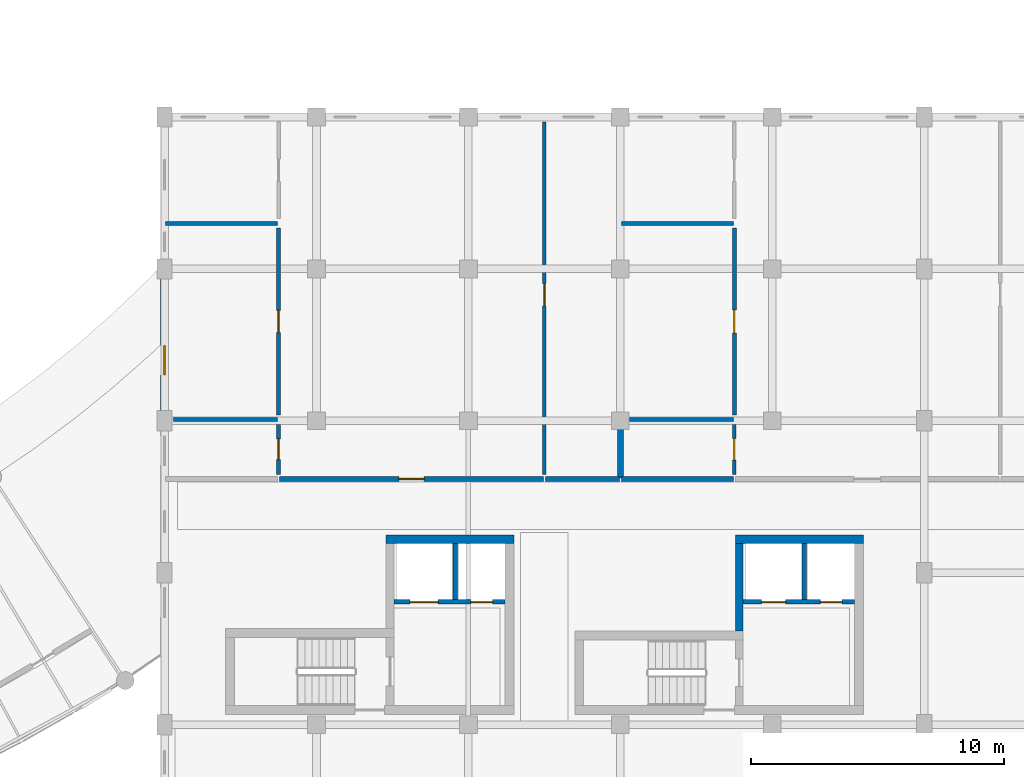
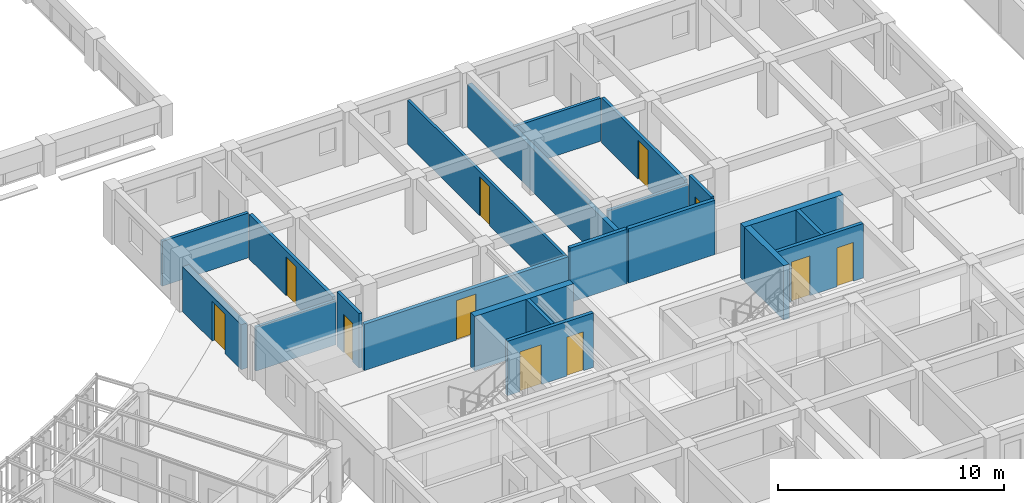
# One storey, part 97 of 137: 21 walls, 11 doors, 11 openings.
"""IFC4 building model written with IfcOpenShell, lengths in metres."""

from ifc_helpers import new_model, si_unit, direction, frame, frame_2d, origin, place, context, subcontext, project, spatial, rectangle, extrude, material, layer, layer_set, type_object, element, fill, save


model = new_model("IFC4")

# Units and contexts
model_context = context("Model", 3, precision=1e-05, world=origin(), true_north=direction((0.0, 1.0)))
body_context = subcontext(model_context, "Body", "Model", "MODEL_VIEW")
ifc_project = project(units=[si_unit("LENGTHUNIT", "METRE"), si_unit("AREAUNIT", "SQUARE_METRE"), si_unit("VOLUMEUNIT", "CUBIC_METRE"), si_unit("PLANEANGLEUNIT", "RADIAN"), si_unit("MASSUNIT", "GRAM", prefix="KILO"), si_unit("POWERUNIT", "WATT"), si_unit("THERMODYNAMICTEMPERATUREUNIT", "KELVIN")], contexts=[model_context])

# Site, building, storey
site_placement = place(None, origin())
site = spatial("IfcSite", under=ifc_project, at=site_placement, CompositionType="ELEMENT")
building_placement = place(site_placement, origin())
building = spatial("IfcBuilding", under=site, at=building_placement, Name="Ruvembo Vaulted Housing Court", CompositionType="ELEMENT")
storey_placement = place(building_placement, frame((0.0, 0.0, 4.5)))
storey = spatial("IfcBuildingStorey", under=building, at=storey_placement, Name="L01", CompositionType="ELEMENT", Elevation=4.5)

# Walls
ifc_material_1 = material(Name="Concrete C35/45", Category="concrete")
ifc_layer_1 = layer(ifc_material_1, 0.300048828125, Name="Concrete C35/45")
ifc_layer_set_1 = layer_set([ifc_layer_1], Name="Concrete C35/45")
wall_type_1 = type_object("IfcWallType", Name="WL-CORE-300", PredefinedType="SHEAR", material=ifc_layer_set_1)
wall_1_placement = place(storey_placement, frame((124.699951171875, 15.699951171875, 0.0), z_axis=(0.0, 0.0, 1.0), x_axis=(0.0, 1.0, 0.0)))
element("IfcWall", 1, at=wall_1_placement, inside=storey, type_object=wall_type_1, Name="Core C2 L01 Upper West Shear Wall", PredefinedType="SHEAR", context=body_context, shape_type="SweptSolid", body=[
    extrude(rectangle(XDim=3.449951171875, YDim=0.300048828125, at=frame_2d((1.72509765625, 0.0))), origin(), (0.0, 0.0, 1.0), 2.945068359375),
])
ifc_layer_2 = layer(ifc_material_1, 0.35009765625, Name="Concrete C35/45")
ifc_layer_set_2 = layer_set([ifc_layer_2], Name="Concrete C35/45")
wall_type_2 = type_object("IfcWallType", Name="WL-CORE-350", PredefinedType="SHEAR", material=ifc_layer_set_2)
for number, where, z_axis, x_axis, name in (
    (2, (115.800048828125, 19.324951171875, 0.0), (0.0, 0.0, 1.0), (-1.0, 0.0, 0.0), "Core C1 L01 North Shear Wall"),
    (3, (129.60009765625, 19.324951171875, 0.0), (0.0, 0.0, 1.0), (-1.0, 0.0, 0.0), "Core C2 L01 North Shear Wall"),
):
    element("IfcWall", number, at=place(storey_placement, frame(where, z_axis=z_axis, x_axis=x_axis)), inside=storey, type_object=wall_type_2, Name=name, PredefinedType="SHEAR", context=body_context, shape_type="SweptSolid", body=[
        extrude(rectangle(XDim=5.050048828125, YDim=0.35009765625, at=frame_2d((2.52490234375, 0.0))), origin(), (0.0, 0.0, 1.0), 2.945068359375),
    ])

# Wall, opening, door
ifc_material_2 = material(Name="Concrete Blockwork 190", Category="masonry")
ifc_layer_3 = layer(ifc_material_2, 0.18994140625, Name="Concrete Blockwork 190")
ifc_layer_set_3 = layer_set([ifc_layer_3], Name="Concrete Blockwork 190")
wall_type_3 = type_object("IfcWallType", Name="WL-CORR-190", PredefinedType="SOLIDWALL", material=ifc_layer_set_3)
wall_2_placement = place(storey_placement, frame((106.5400390625, 21.699951171875, 0.0), z_axis=(0.0, 0.0, 1.0), x_axis=(1.0, 0.0, 0.0)))
wall_2 = element("IfcWall", 4, at=wall_2_placement, inside=storey, type_object=wall_type_3, Name="L01 Flat C-L01-N1 Entrance WL-INT-L01-00305", PredefinedType="SOLIDWALL", context=body_context, shape_type="SweptSolid", body=[
    extrude(rectangle(XDim=10.419921875, YDim=0.18994140625, at=frame_2d((5.2099609375, 0.0))), origin(), (0.0, 0.0, 1.0), 2.508056640625),
])
opening_1_placement = place(wall_2_placement, frame((4.7099609375, 0.0, 0.0)))
opening_1 = element("IfcOpeningElement", 5, at=opening_1_placement, cuts=wall_2, Name="Opening FD1", PredefinedType="OPENING", context=body_context, shape_type="SweptSolid", body=[
    extrude(rectangle(XDim=1.0, YDim=2.14990234375, at=frame_2d((0.5, 1.074951171875))), frame((0.0, 0.10498046875, 0.0), z_axis=(0.0, -1.0, 0.0), x_axis=(1.0, 0.0, 0.0)), (0.0, 0.0, 1.0), 0.2099609375),
])
ifc_material_3 = material(Name="FSC Hardwood and Engineered Timber", Category="wood")
door_type_1 = type_object("IfcDoorType", Name="DR-FLAT-1000x2150", OperationType="NOTDEFINED", PredefinedType="DOOR", material=ifc_material_3)
door_1_placement = place(opening_1_placement, origin())
door_1 = element("IfcDoor", 6, at=door_1_placement, inside=storey, type_object=door_type_1, Name="L01 Flat C-L01-N1 Entrance Door DR-INT-L01-00153", OperationType="SINGLE_SWING_LEFT", OverallHeight=2.14990234375, OverallWidth=1.0, PredefinedType="DOOR", context=body_context, shape_type="SweptSolid", body=[
    extrude(rectangle(XDim=1.0, YDim=2.14990234375, at=frame_2d((0.5, 1.074951171875))), frame((0.0, 0.02490234375, 0.0), z_axis=(0.0, -1.0, 0.0), x_axis=(1.0, 0.0, 0.0)), (0.0, 0.0, 1.0), 0.050048828125),
])
fill(opening_1, door_1)

# Walls
wall_3_placement = place(storey_placement, frame((117.0400390625, 21.699951171875, 0.0), z_axis=(0.0, 0.0, 1.0), x_axis=(1.0, 0.0, 0.0)))
element("IfcWall", 7, at=wall_3_placement, inside=storey, type_object=wall_type_3, Name="L01 Flat C-L01-N1 Corridor Wall 2 WL-INT-L01-00311", PredefinedType="SOLIDWALL", context=body_context, shape_type="SweptSolid", body=[
    extrude(rectangle(XDim=2.919921875, YDim=0.18994140625, at=frame_2d((1.4599609375, 0.0))), origin(), (0.0, 0.0, 1.0), 2.945068359375),
])
wall_4_placement = place(storey_placement, frame((120.0400390625, 21.699951171875, 0.0), z_axis=(0.0, 0.0, 1.0), x_axis=(1.0, 0.0, 0.0)))
element("IfcWall", 8, at=wall_4_placement, inside=storey, type_object=wall_type_3, Name="L01 Flat C-L01-N2 Corridor Wall WL-INT-L01-00313", PredefinedType="SOLIDWALL", context=body_context, shape_type="SweptSolid", body=[
    extrude(rectangle(XDim=4.419921875, YDim=0.18994140625, at=frame_2d((2.2099609375, 0.0))), origin(), (0.0, 0.0, 1.0), 2.945068359375),
])
ifc_material_4 = material(Name="Acoustic Masonry Demising 230", Category="masonry")
ifc_layer_4 = layer(ifc_material_4, 0.22998046875, Name="Acoustic Masonry Demising 230")
ifc_layer_set_4 = layer_set([ifc_layer_4], Name="Acoustic Masonry Demising 230")
wall_type_4 = type_object("IfcWallType", Name="WL-DEM-230", PredefinedType="SOLIDWALL", material=ifc_layer_set_4)
wall_5_placement = place(storey_placement, frame((120.0, 21.739990234375, 0.0), z_axis=(0.0, 0.0, 1.0), x_axis=(0.0, 1.0, 0.0)))
element("IfcWall", 9, at=wall_5_placement, inside=storey, type_object=wall_type_4, Name="L01 Demising C-L01-N1 WL-INT-L01-00303", PredefinedType="SOLIDWALL", context=body_context, shape_type="SweptSolid", body=[
    extrude(rectangle(XDim=13.8701171875, YDim=0.22998046875, at=frame_2d((6.93505859375, 0.0))), origin(), (0.0, 0.0, 1.0), 2.326904296875),
])

# Wall, opening, door
ifc_material_5 = material(Name="Rendered Masonry 320", Category="masonry")
ifc_layer_5 = layer(ifc_material_5, 0.320068359375, Name="Rendered Masonry 320")
ifc_layer_set_5 = layer_set([ifc_layer_5], Name="Rendered Masonry 320")
wall_type_5 = type_object("IfcWallType", Name="WL-EXT-320", PredefinedType="STANDARD", material=ifc_layer_set_5)
wall_6_placement = place(storey_placement, frame((102.0, 29.60009765625, 0.0), z_axis=(0.0, 0.0, 1.0), x_axis=(0.0, -1.0, 0.0)))
wall_6 = element("IfcWall", 10, at=wall_6_placement, inside=storey, type_object=wall_type_5, Name="Block C L01 Exterior Wall WEST #2", PredefinedType="STANDARD", context=body_context, shape_type="SweptSolid", body=[
    extrude(rectangle(XDim=5.2001953125, YDim=0.320068359375, at=frame_2d((2.60009765625, 0.0))), origin(), (0.0, 0.0, 1.0), 2.427001953125),
])
opening_2_placement = place(wall_6_placement, frame((2.63330078125, 0.0, 0.0)))
opening_2 = element("IfcOpeningElement", 11, at=opening_2_placement, cuts=wall_6, Name="Opening GD1", PredefinedType="OPENING", context=body_context, shape_type="SweptSolid", body=[
    extrude(rectangle(XDim=1.14990234375, YDim=2.14990234375, at=frame_2d((0.574951171875, 1.074951171875))), frame((0.0, 0.169921875, 0.0), z_axis=(0.0, -1.0, 0.0), x_axis=(1.0, 0.0, 0.0)), (0.0, 0.0, 1.0), 0.340087890625),
])
ifc_material_6 = material(Name="Thermally Broken Glazed Aluminium", Category="aluminium")
door_type_2 = type_object("IfcDoorType", Name="DR-GAL-1150x2150", OperationType="NOTDEFINED", PredefinedType="DOOR", material=ifc_material_6)
door_2_placement = place(opening_2_placement, frame((1.14990234375, 0.0, 0.0), z_axis=(0.0, 0.0, 1.0), x_axis=(-1.0, 0.0, 0.0)))
door_2 = element("IfcDoor", 12, at=door_2_placement, inside=storey, type_object=door_type_2, Name="Block C L01 Terrace or Gallery Door DR-TER-C-L01-050", OperationType="SINGLE_SWING_LEFT", OverallHeight=2.14990234375, OverallWidth=1.14990234375, PredefinedType="DOOR", context=body_context, shape_type="SweptSolid", body=[
    extrude(rectangle(XDim=1.14990234375, YDim=2.14990234375, at=frame_2d((0.574951171875, 1.074951171875))), frame((0.0, 0.02490234375, 0.0), z_axis=(0.0, -1.0, 0.0), x_axis=(1.0, 0.0, 0.0)), (0.0, 0.0, 1.0), 0.050048828125),
])
fill(opening_2, door_2)

ifc_material_7 = material(Name="Acoustic Stud Partition 135", Category="gypsum")
ifc_layer_6 = layer(ifc_material_7, 0.135009765625, Name="Acoustic Stud Partition 135")
ifc_layer_set_6 = layer_set([ifc_layer_6], Name="Acoustic Stud Partition 135")
wall_type_6 = type_object("IfcWallType", Name="WL-PART-135", PredefinedType="PARTITIONING", material=ifc_layer_set_6)
wall_7_placement = place(storey_placement, frame((117.0, 21.889892578125, 0.0), z_axis=(0.0, 0.0, 1.0), x_axis=(0.0, 1.0, 0.0)))
wall_7 = element("IfcWall", 13, at=wall_7_placement, inside=storey, type_object=wall_type_6, Name="L01 Flat C-L01-N1 Bedroom 2 WL-INT-L01-00312", PredefinedType="PARTITIONING", context=body_context, shape_type="SweptSolid", body=[
    extrude(rectangle(XDim=13.920166015625, YDim=0.135009765625, at=frame_2d((6.9599609375, 0.0))), origin(), (0.0, 0.0, 1.0), 2.376953125),
])
opening_3_placement = place(wall_7_placement, frame((6.64990234375, 0.0, 0.0)))
opening_3 = element("IfcOpeningElement", 14, at=opening_3_placement, cuts=wall_7, Name="Opening ID3", PredefinedType="OPENING", context=body_context, shape_type="SweptSolid", body=[
    extrude(rectangle(XDim=0.8798828125, YDim=2.10009765625, at=frame_2d((0.43994140625, 1.050048828125))), frame((0.0, 0.077392578125, 0.0), z_axis=(0.0, -1.0, 0.0), x_axis=(1.0, 0.0, 0.0)), (0.0, 0.0, 1.0), 0.155029296875),
])
door_type_3 = type_object("IfcDoorType", Name="DR-ROOM-0880x2100", OperationType="NOTDEFINED", PredefinedType="DOOR", material=ifc_material_3)
door_3_placement = place(opening_3_placement, origin())
door_3 = element("IfcDoor", 15, at=door_3_placement, inside=storey, type_object=door_type_3, Name="L01 Flat C-L01-N1 Bedroom 2 Door DR-INT-L01-00157", OperationType="SINGLE_SWING_LEFT", OverallHeight=2.10009765625, OverallWidth=0.8798828125, PredefinedType="DOOR", context=body_context, shape_type="SweptSolid", body=[
    extrude(rectangle(XDim=0.8798828125, YDim=2.10009765625, at=frame_2d((0.43994140625, 1.050048828125))), frame((0.0, 0.02490234375, 0.0), z_axis=(0.0, -1.0, 0.0), x_axis=(1.0, 0.0, 0.0)), (0.0, 0.0, 1.0), 0.050048828125),
])
fill(opening_3, door_3)

ifc_material_8 = material(Name="Moisture-Resistant Wet Partition 150", Category="gypsum")
ifc_layer_7 = layer(ifc_material_8, 0.14990234375, Name="Moisture-Resistant Wet Partition 150")
ifc_layer_set_7 = layer_set([ifc_layer_7], Name="Moisture-Resistant Wet Partition 150")
wall_type_7 = type_object("IfcWallType", Name="WL-PART-150", PredefinedType="PARTITIONING", material=ifc_layer_set_7)
wall_8_placement = place(storey_placement, frame((106.5, 21.889892578125, 0.0), z_axis=(0.0, 0.0, 1.0), x_axis=(0.0, 1.0, 0.0)))
wall_8 = element("IfcWall", 16, at=wall_8_placement, inside=storey, type_object=wall_type_7, Name="L01 Flat C-L01-N1 Bathroom WL-INT-L01-00308", PredefinedType="PARTITIONING", context=body_context, shape_type="SweptSolid", body=[
    extrude(rectangle(XDim=1.97021484375, YDim=0.14990234375, at=frame_2d((0.985107421875, 0.0))), origin(), (0.0, 0.0, 1.0), 2.945068359375),
])
opening_4_placement = place(wall_8_placement, frame((0.574951171875, 0.0, 0.0)))
opening_4 = element("IfcOpeningElement", 17, at=opening_4_placement, cuts=wall_8, Name="Opening ID4", PredefinedType="OPENING", context=body_context, shape_type="SweptSolid", body=[
    extrude(rectangle(XDim=0.820068359375, YDim=2.080078125, at=frame_2d((0.41015625, 1.0400390625))), frame((0.0, 0.0849609375, 0.0), z_axis=(0.0, -1.0, 0.0), x_axis=(1.0, 0.0, 0.0)), (0.0, 0.0, 1.0), 0.169921875),
])
door_type_4 = type_object("IfcDoorType", Name="DR-WET-0820x2080", OperationType="NOTDEFINED", PredefinedType="DOOR", material=ifc_material_3)
door_4_placement = place(opening_4_placement, origin())
door_4 = element("IfcDoor", 18, at=door_4_placement, inside=storey, type_object=door_type_4, Name="L01 Flat C-L01-N1 Bathroom Door DR-INT-L01-00156", OperationType="SINGLE_SWING_RIGHT", OverallHeight=2.080078125, OverallWidth=0.820068359375, PredefinedType="DOOR", context=body_context, shape_type="SweptSolid", body=[
    extrude(rectangle(XDim=0.820068359375, YDim=2.080078125, at=frame_2d((0.41015625, 1.0400390625))), frame((0.0, 0.02490234375, 0.0), z_axis=(0.0, -1.0, 0.0), x_axis=(1.0, 0.0, 0.0)), (0.0, 0.0, 1.0), 0.050048828125),
])
fill(opening_4, door_4)

# Walls
wall_9_placement = place(storey_placement, frame((102.0400390625, 31.800048828125, 0.0), z_axis=(0.0, 0.0, 1.0), x_axis=(1.0, 0.0, 0.0)))
element("IfcWall", 19, at=wall_9_placement, inside=storey, type_object=wall_type_7, Name="L01 Flat C-L01-N1 Wet Wall 1 WL-INT-L01-00309", PredefinedType="PARTITIONING", context=body_context, shape_type="SweptSolid", body=[
    extrude(rectangle(XDim=4.419921875, YDim=0.14990234375, at=frame_2d((2.2099609375, 0.0))), origin(), (0.0, 0.0, 1.0), 2.427001953125),
])
wall_10_placement = place(storey_placement, frame((102.360107421875, 24.050048828125, 0.0), z_axis=(0.0, 0.0, 1.0), x_axis=(1.0, 0.0, 0.0)))
element("IfcWall", 20, at=wall_10_placement, inside=storey, type_object=wall_type_7, Name="L01 Flat C-L01-N1 Wet Wall 2 WL-INT-L01-00310", PredefinedType="PARTITIONING", context=body_context, shape_type="SweptSolid", body=[
    extrude(rectangle(XDim=4.099853515625, YDim=0.14990234375, at=frame_2d((2.0498046875, 0.0))), origin(), (0.0, 0.0, 1.0), 2.376953125),
])

# Wall, opening, door
wall_11_placement = place(storey_placement, frame((124.5, 21.889892578125, 0.0), z_axis=(0.0, 0.0, 1.0), x_axis=(0.0, 1.0, 0.0)))
wall_11 = element("IfcWall", 21, at=wall_11_placement, inside=storey, type_object=wall_type_7, Name="L01 Flat C-L01-N2 Bathroom WL-INT-L01-00317", PredefinedType="PARTITIONING", context=body_context, shape_type="SweptSolid", body=[
    extrude(rectangle(XDim=1.97021484375, YDim=0.14990234375, at=frame_2d((0.985107421875, 0.0))), origin(), (0.0, 0.0, 1.0), 2.945068359375),
])
opening_5_placement = place(wall_11_placement, frame((0.56005859375, 0.0, 0.0)))
opening_5 = element("IfcOpeningElement", 22, at=opening_5_placement, cuts=wall_11, Name="Opening ID2", PredefinedType="OPENING", context=body_context, shape_type="SweptSolid", body=[
    extrude(rectangle(XDim=0.85009765625, YDim=2.10009765625, at=frame_2d((0.425048828125, 1.050048828125))), frame((0.0, 0.0849609375, 0.0), z_axis=(0.0, -1.0, 0.0), x_axis=(1.0, 0.0, 0.0)), (0.0, 0.0, 1.0), 0.169921875),
])
door_type_5 = type_object("IfcDoorType", Name="DR-WET-0850x2100", OperationType="NOTDEFINED", PredefinedType="DOOR", material=ifc_material_3)
door_5_placement = place(opening_5_placement, origin())
door_5 = element("IfcDoor", 23, at=door_5_placement, inside=storey, type_object=door_type_5, Name="L01 Flat C-L01-N2 Bathroom Door DR-INT-L01-00161", OperationType="SINGLE_SWING_LEFT", OverallHeight=2.10009765625, OverallWidth=0.85009765625, PredefinedType="DOOR", context=body_context, shape_type="SweptSolid", body=[
    extrude(rectangle(XDim=0.85009765625, YDim=2.10009765625, at=frame_2d((0.425048828125, 1.050048828125))), frame((0.0, 0.02490234375, 0.0), z_axis=(0.0, -1.0, 0.0), x_axis=(1.0, 0.0, 0.0)), (0.0, 0.0, 1.0), 0.050048828125),
])
fill(opening_5, door_5)

# Walls
wall_12_placement = place(storey_placement, frame((120.0400390625, 31.800048828125, 0.0), z_axis=(0.0, 0.0, 1.0), x_axis=(1.0, 0.0, 0.0)))
element("IfcWall", 24, at=wall_12_placement, inside=storey, type_object=wall_type_7, Name="L01 Flat C-L01-N2 Wet Wall 1 WL-INT-L01-00318", PredefinedType="PARTITIONING", context=body_context, shape_type="SweptSolid", body=[
    extrude(rectangle(XDim=4.419921875, YDim=0.14990234375, at=frame_2d((2.2099609375, 0.0))), origin(), (0.0, 0.0, 1.0), 2.326904296875),
])
wall_13_placement = place(storey_placement, frame((120.360107421875, 24.050048828125, 0.0), z_axis=(0.0, 0.0, 1.0), x_axis=(1.0, 0.0, 0.0)))
element("IfcWall", 25, at=wall_13_placement, inside=storey, type_object=wall_type_7, Name="L01 Flat C-L01-N2 Wet Wall 2 WL-INT-L01-00319", PredefinedType="PARTITIONING", context=body_context, shape_type="SweptSolid", body=[
    extrude(rectangle(XDim=4.099853515625, YDim=0.14990234375, at=frame_2d((2.0498046875, 0.0))), origin(), (0.0, 0.0, 1.0), 2.376953125),
])

# Wall, opening, door
ifc_material_9 = material(Name="Acoustic Service Chase Wall 160", Category="gypsum")
ifc_layer_8 = layer(ifc_material_9, 0.159912109375, Name="Acoustic Service Chase Wall 160")
ifc_layer_set_8 = layer_set([ifc_layer_8], Name="Acoustic Service Chase Wall 160")
wall_type_8 = type_object("IfcWallType", Name="WL-PLUMB-160", PredefinedType="PLUMBINGWALL", material=ifc_layer_set_8)
wall_14_placement = place(storey_placement, frame((106.5, 24.239990234375, 0.0), z_axis=(0.0, 0.0, 1.0), x_axis=(0.0, 1.0, 0.0)))
wall_14 = element("IfcWall", 26, at=wall_14_placement, inside=storey, type_object=wall_type_8, Name="L01 Flat C-L01-N1 Kitchen WL-INT-L01-00307", PredefinedType="PLUMBINGWALL", context=body_context, shape_type="SweptSolid", body=[
    extrude(rectangle(XDim=7.3701171875, YDim=0.159912109375, at=frame_2d((3.68505859375, 0.0))), origin(), (0.0, 0.0, 1.0), 2.427001953125),
])
opening_6_placement = place(wall_14_placement, frame((3.2451171875, 0.0, 0.0)))
opening_6 = element("IfcOpeningElement", 27, at=opening_6_placement, cuts=wall_14, Name="Opening ID3", PredefinedType="OPENING", context=body_context, shape_type="SweptSolid", body=[
    extrude(rectangle(XDim=0.8798828125, YDim=2.10009765625, at=frame_2d((0.43994140625, 1.050048828125))), frame((0.0, 0.08984375, 0.0), z_axis=(0.0, -1.0, 0.0), x_axis=(1.0, 0.0, 0.0)), (0.0, 0.0, 1.0), 0.179931640625),
])
door_6_placement = place(opening_6_placement, origin())
door_6 = element("IfcDoor", 28, at=door_6_placement, inside=storey, type_object=door_type_3, Name="L01 Flat C-L01-N1 Kitchen Door DR-INT-L01-00155", OperationType="SINGLE_SWING_LEFT", OverallHeight=2.10009765625, OverallWidth=0.8798828125, PredefinedType="DOOR", context=body_context, shape_type="SweptSolid", body=[
    extrude(rectangle(XDim=0.8798828125, YDim=2.10009765625, at=frame_2d((0.43994140625, 1.050048828125))), frame((0.0, 0.02490234375, 0.0), z_axis=(0.0, -1.0, 0.0), x_axis=(1.0, 0.0, 0.0)), (0.0, 0.0, 1.0), 0.050048828125),
])
fill(opening_6, door_6)

wall_15_placement = place(storey_placement, frame((124.5, 24.239990234375, 0.0), z_axis=(0.0, 0.0, 1.0), x_axis=(0.0, 1.0, 0.0)))
wall_15 = element("IfcWall", 29, at=wall_15_placement, inside=storey, type_object=wall_type_8, Name="L01 Flat C-L01-N2 Kitchen WL-INT-L01-00316", PredefinedType="PLUMBINGWALL", context=body_context, shape_type="SweptSolid", body=[
    extrude(rectangle(XDim=7.3701171875, YDim=0.159912109375, at=frame_2d((3.68505859375, 0.0))), origin(), (0.0, 0.0, 1.0), 2.427001953125),
])
opening_7_placement = place(wall_15_placement, frame((3.235107421875, 0.0, 0.0)))
opening_7 = element("IfcOpeningElement", 30, at=opening_7_placement, cuts=wall_15, Name="Opening ID1", PredefinedType="OPENING", context=body_context, shape_type="SweptSolid", body=[
    extrude(rectangle(XDim=0.89990234375, YDim=2.10009765625, at=frame_2d((0.449951171875, 1.050048828125))), frame((0.0, 0.08984375, 0.0), z_axis=(0.0, -1.0, 0.0), x_axis=(1.0, 0.0, 0.0)), (0.0, 0.0, 1.0), 0.179931640625),
])
door_type_6 = type_object("IfcDoorType", Name="DR-ROOM-0900x2100", OperationType="NOTDEFINED", PredefinedType="DOOR", material=ifc_material_3)
door_7_placement = place(opening_7_placement, origin())
door_7 = element("IfcDoor", 31, at=door_7_placement, inside=storey, type_object=door_type_6, Name="L01 Flat C-L01-N2 Kitchen Door DR-INT-L01-00160", OperationType="SINGLE_SWING_RIGHT", OverallHeight=2.10009765625, OverallWidth=0.89990234375, PredefinedType="DOOR", context=body_context, shape_type="SweptSolid", body=[
    extrude(rectangle(XDim=0.89990234375, YDim=2.10009765625, at=frame_2d((0.449951171875, 1.050048828125))), frame((0.0, 0.02490234375, 0.0), z_axis=(0.0, -1.0, 0.0), x_axis=(1.0, 0.0, 0.0)), (0.0, 0.0, 1.0), 0.050048828125),
])
fill(opening_7, door_7)

# Wall, openings, doors
ifc_material_10 = material(Name="Fire-Rated Masonry Shaft 180", Category="masonry")
ifc_layer_9 = layer(ifc_material_10, 0.179931640625, Name="Fire-Rated Masonry Shaft 180")
ifc_layer_set_9 = layer_set([ifc_layer_9], Name="Fire-Rated Masonry Shaft 180")
wall_type_9 = type_object("IfcWallType", Name="WL-SHAFT-180", PredefinedType="SOLIDWALL", material=ifc_layer_set_9)
wall_16_placement = place(storey_placement, frame((111.050048828125, 16.85009765625, 0.0), z_axis=(0.0, 0.0, 1.0), x_axis=(1.0, 0.0, 0.0)))
wall_16 = element("IfcWall", 32, at=wall_16_placement, inside=storey, type_object=wall_type_9, Name="Core C1 L01 Lift and Riser Front Wall", PredefinedType="SOLIDWALL", context=body_context, shape_type="SweptSolid", body=[
    extrude(rectangle(XDim=4.39990234375, YDim=0.179931640625, at=frame_2d((2.199951171875, 0.0))), origin(), (0.0, 0.0, 1.0), 2.945068359375),
])
opening_8_placement = place(wall_16_placement, frame((0.64990234375, 0.0, 0.0)))
opening_8 = element("IfcOpeningElement", 33, at=opening_8_placement, cuts=wall_16, Name="Opening LD-LP-C1-L01", PredefinedType="OPENING", context=body_context, shape_type="SweptSolid", body=[
    extrude(rectangle(XDim=1.10009765625, YDim=2.14990234375, at=frame_2d((0.550048828125, 1.074951171875))), frame((0.0, 0.099853515625, 0.0), z_axis=(0.0, -1.0, 0.0), x_axis=(1.0, 0.0, 0.0)), (0.0, 0.0, 1.0), 0.199951171875),
])
opening_9_placement = place(wall_16_placement, frame((3.050048828125, 0.0, 0.0)))
opening_9 = element("IfcOpeningElement", 34, at=opening_9_placement, cuts=wall_16, Name="Opening RD1", PredefinedType="OPENING", context=body_context, shape_type="SweptSolid", body=[
    extrude(rectangle(XDim=0.85009765625, YDim=2.10009765625, at=frame_2d((0.425048828125, 1.050048828125))), frame((0.0, 0.099853515625, 0.0), z_axis=(0.0, -1.0, 0.0), x_axis=(1.0, 0.0, 0.0)), (0.0, 0.0, 1.0), 0.199951171875),
])
ifc_material_11 = material(Name="Brushed Stainless Steel 304", Category="steel")
door_type_7 = type_object("IfcDoorType", Name="DR-LIFT-1100x2150", OperationType="NOTDEFINED", PredefinedType="DOOR", material=ifc_material_11)
door_8_placement = place(opening_8_placement, origin())
door_8 = element("IfcDoor", 35, at=door_8_placement, inside=storey, type_object=door_type_7, Name="Lift LP-C1 L01 Sliding Landing Door", OperationType="SLIDING_TO_LEFT", OverallHeight=2.14990234375, OverallWidth=1.10009765625, PredefinedType="DOOR", context=body_context, shape_type="SweptSolid", body=[
    extrude(rectangle(XDim=1.10009765625, YDim=2.14990234375, at=frame_2d((0.550048828125, 1.074951171875))), frame((0.0, 0.02490234375, 0.0), z_axis=(0.0, -1.0, 0.0), x_axis=(1.0, 0.0, 0.0)), (0.0, 0.0, 1.0), 0.050048828125),
])
fill(opening_8, door_8)
ifc_material_12 = material(Name="Galvanised Painted Steel", Category="steel")
door_type_8 = type_object("IfcDoorType", Name="DR-RISER-0850x2100", OperationType="NOTDEFINED", PredefinedType="DOOR", material=ifc_material_12)
door_9_placement = place(opening_9_placement, frame((0.85009765625, 0.0, 0.0), z_axis=(0.0, 0.0, 1.0), x_axis=(-1.0, 0.0, 0.0)))
door_9 = element("IfcDoor", 36, at=door_9_placement, inside=storey, type_object=door_type_8, Name="Core C1 L01 Service Riser Door", OperationType="SINGLE_SWING_LEFT", OverallHeight=2.10009765625, OverallWidth=0.85009765625, PredefinedType="DOOR", context=body_context, shape_type="SweptSolid", body=[
    extrude(rectangle(XDim=0.85009765625, YDim=2.10009765625, at=frame_2d((0.425048828125, 1.050048828125))), frame((0.0, 0.02490234375, 0.0), z_axis=(0.0, -1.0, 0.0), x_axis=(1.0, 0.0, 0.0)), (0.0, 0.0, 1.0), 0.050048828125),
])
fill(opening_9, door_9)

# Wall
wall_17_placement = place(storey_placement, frame((113.469970703125, 16.93994140625, 0.0), z_axis=(0.0, 0.0, 1.0), x_axis=(0.0, 1.0, 0.0)))
element("IfcWall", 37, at=wall_17_placement, inside=storey, type_object=wall_type_9, Name="Core C1 L01 Shaft-Riser Divider Wall", PredefinedType="SOLIDWALL", context=body_context, shape_type="SweptSolid", body=[
    extrude(rectangle(XDim=2.2099609375, YDim=0.179931640625, at=frame_2d((1.10498046875, 0.0))), origin(), (0.0, 0.0, 1.0), 2.945068359375),
])

# Wall, openings, doors
wall_18_placement = place(storey_placement, frame((124.85009765625, 16.85009765625, 0.0), z_axis=(0.0, 0.0, 1.0), x_axis=(1.0, 0.0, 0.0)))
wall_18 = element("IfcWall", 38, at=wall_18_placement, inside=storey, type_object=wall_type_9, Name="Core C2 L01 Lift and Riser Front Wall", PredefinedType="SOLIDWALL", context=body_context, shape_type="SweptSolid", body=[
    extrude(rectangle(XDim=4.39990234375, YDim=0.179931640625, at=frame_2d((2.199951171875, 0.0))), origin(), (0.0, 0.0, 1.0), 2.945068359375),
])
opening_10_placement = place(wall_18_placement, frame((0.72509765625, 0.0, 0.0)))
opening_10 = element("IfcOpeningElement", 39, at=opening_10_placement, cuts=wall_18, Name="Opening LD-LP-C2-L01", PredefinedType="OPENING", context=body_context, shape_type="SweptSolid", body=[
    extrude(rectangle(XDim=0.949951171875, YDim=2.14990234375, at=frame_2d((0.47509765625, 1.074951171875))), frame((0.0, 0.099853515625, 0.0), z_axis=(0.0, -1.0, 0.0), x_axis=(1.0, 0.0, 0.0)), (0.0, 0.0, 1.0), 0.199951171875),
])
opening_11_placement = place(wall_18_placement, frame((3.050048828125, 0.0, 0.0)))
opening_11 = element("IfcOpeningElement", 40, at=opening_11_placement, cuts=wall_18, Name="Opening RD1", PredefinedType="OPENING", context=body_context, shape_type="SweptSolid", body=[
    extrude(rectangle(XDim=0.85009765625, YDim=2.10009765625, at=frame_2d((0.425048828125, 1.050048828125))), frame((0.0, 0.099853515625, 0.0), z_axis=(0.0, -1.0, 0.0), x_axis=(1.0, 0.0, 0.0)), (0.0, 0.0, 1.0), 0.199951171875),
])
door_type_9 = type_object("IfcDoorType", Name="DR-LIFT-0950x2150", OperationType="NOTDEFINED", PredefinedType="DOOR", material=ifc_material_11)
door_10_placement = place(opening_10_placement, origin())
door_10 = element("IfcDoor", 41, at=door_10_placement, inside=storey, type_object=door_type_9, Name="Lift LP-C2 L01 Sliding Landing Door", OperationType="SLIDING_TO_LEFT", OverallHeight=2.14990234375, OverallWidth=0.949951171875, PredefinedType="DOOR", context=body_context, shape_type="SweptSolid", body=[
    extrude(rectangle(XDim=0.949951171875, YDim=2.14990234375, at=frame_2d((0.47509765625, 1.074951171875))), frame((0.0, 0.02490234375, 0.0), z_axis=(0.0, -1.0, 0.0), x_axis=(1.0, 0.0, 0.0)), (0.0, 0.0, 1.0), 0.050048828125),
])
fill(opening_10, door_10)
door_11_placement = place(opening_11_placement, frame((0.85009765625, 0.0, 0.0), z_axis=(0.0, 0.0, 1.0), x_axis=(-1.0, 0.0, 0.0)))
door_11 = element("IfcDoor", 42, at=door_11_placement, inside=storey, type_object=door_type_8, Name="Core C2 L01 Service Riser Door", OperationType="SINGLE_SWING_RIGHT", OverallHeight=2.10009765625, OverallWidth=0.85009765625, PredefinedType="DOOR", context=body_context, shape_type="SweptSolid", body=[
    extrude(rectangle(XDim=0.85009765625, YDim=2.10009765625, at=frame_2d((0.425048828125, 1.050048828125))), frame((0.0, 0.02490234375, 0.0), z_axis=(0.0, -1.0, 0.0), x_axis=(1.0, 0.0, 0.0)), (0.0, 0.0, 1.0), 0.050048828125),
])
fill(opening_11, door_11)

# Wall
wall_19_placement = place(storey_placement, frame((127.27001953125, 16.93994140625, 0.0), z_axis=(0.0, 0.0, 1.0), x_axis=(0.0, 1.0, 0.0)))
element("IfcWall", 43, at=wall_19_placement, inside=storey, type_object=wall_type_9, Name="Core C2 L01 Shaft-Riser Divider Wall", PredefinedType="SOLIDWALL", context=body_context, shape_type="SweptSolid", body=[
    extrude(rectangle(XDim=2.2099609375, YDim=0.179931640625, at=frame_2d((1.10498046875, 0.0))), origin(), (0.0, 0.0, 1.0), 2.945068359375),
])

save(model, "model.ifc")
